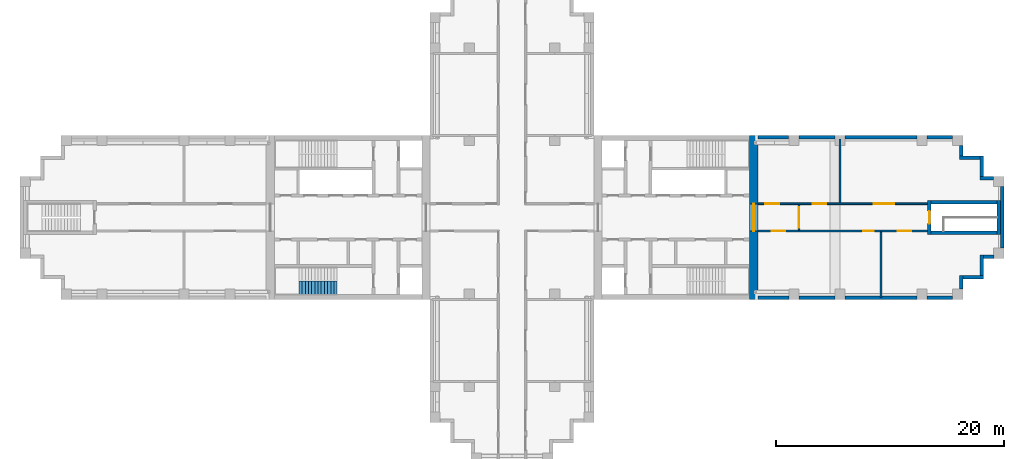
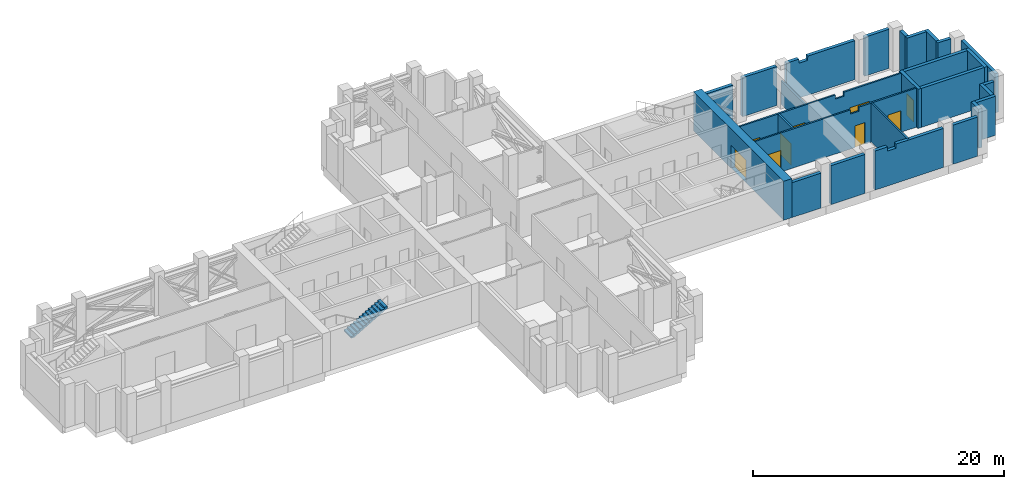
# One storey, part 7 of 9: 27 walls, 9 doors, 1 stair flight, 9 openings, 1 element without a shape of its own.
"""IFC4 building model written with IfcOpenShell, lengths in metres."""

from ifc_helpers import new_model, si_unit, direction, frame, frame_2d, origin, place, context, subcontext, project, spatial, polyline, rectangle, outline, extrude, material, layer, layer_set, type_object, element, fill, aggregate, save


model = new_model("IFC4")

# Units and contexts
model_context = context("Model", 3, precision=1e-05, world=origin(), true_north=direction((0.0, 1.0)))
body_context = subcontext(model_context, "Body", "Model", "MODEL_VIEW")
ifc_project = project(units=[si_unit("LENGTHUNIT", "METRE"), si_unit("AREAUNIT", "SQUARE_METRE"), si_unit("VOLUMEUNIT", "CUBIC_METRE"), si_unit("PLANEANGLEUNIT", "RADIAN"), si_unit("MASSUNIT", "GRAM", prefix="KILO")], contexts=[model_context])

# Site, building, storey
site_placement = place(None, origin())
site = spatial("IfcSite", under=ifc_project, at=site_placement, CompositionType="ELEMENT")
building_placement = place(site_placement, origin())
building = spatial("IfcBuilding", under=site, at=building_placement, Name="Fustian Cross Tower", CompositionType="ELEMENT")
storey_placement = place(building_placement, frame((0.0, 0.0, 162.300048828125)))
storey = spatial("IfcBuildingStorey", under=building, at=storey_placement, Name="L51", CompositionType="ELEMENT", Elevation=162.300048828125)

# Wall, openings, doors
ifc_material_1 = material(Name="Plasterboard on steel stud", Category="steel")
ifc_layer_1 = layer(ifc_material_1, 0.14990234375)
ifc_layer_set_1 = layer_set([ifc_layer_1], Name="Plasterboard on steel stud")
wall_type_1 = type_object("IfcWallType", Name="COMPARTMENT WALL 150 EI 60", PredefinedType="PARTITIONING", material=ifc_layer_set_1)
wall_1_placement = place(storey_placement, frame((21.60009765625, -1.199951171875, 0.0), z_axis=(0.0, 0.0, 1.0), x_axis=(1.0, 0.0, 0.0)))
wall_1 = element("IfcWall", 1, at=wall_1_placement, inside=storey, type_object=wall_type_1, Name="Partition 21", PredefinedType="PARTITIONING", context=body_context, shape_type="SweptSolid", body=[
    extrude(outline(polyline([(0.0, 0.0), (14.89990234375, 0.0), (14.89990234375, 3.800048828125), (9.60205078125, 3.800048828125), (9.60009765625, 3.39990234375), (8.800048828125, 3.39990234375), (8.798095703125, 3.800048828125), (0.0, 3.800048828125), (0.0, 0.0)])), frame((0.0, 0.074951171875, 0.0), z_axis=(0.0, -1.0, 0.0), x_axis=(1.0, 0.0, 0.0)), (0.0, 0.0, 1.0), 0.14990234375),
])
opening_1_placement = place(wall_1_placement, frame((1.199951171875, 0.0, 0.0)))
opening_1 = element("IfcOpeningElement", 2, at=opening_1_placement, cuts=wall_1, Name="Opening D23029", PredefinedType="OPENING", context=body_context, shape_type="SweptSolid", body=[
    extrude(rectangle(XDim=1.199951171875, YDim=2.10009765625, at=frame_2d((0.60009765625, 1.050048828125))), frame((0.0, 0.0849609375, 0.0), z_axis=(0.0, -1.0, 0.0), x_axis=(1.0, 0.0, 0.0)), (0.0, 0.0, 1.0), 0.169921875),
])
opening_2_placement = place(wall_1_placement, frame((9.25, 0.0, 0.0)))
opening_2 = element("IfcOpeningElement", 3, at=opening_2_placement, cuts=wall_1, Name="Opening D23030", PredefinedType="OPENING", context=body_context, shape_type="SweptSolid", body=[
    extrude(rectangle(XDim=0.89990234375, YDim=2.10009765625, at=frame_2d((0.449951171875, 1.050048828125))), frame((0.0, 0.0849609375, 0.0), z_axis=(0.0, -1.0, 0.0), x_axis=(1.0, 0.0, 0.0)), (0.0, 0.0, 1.0), 0.169921875),
])
opening_3_placement = place(wall_1_placement, frame((12.25, 0.0, 0.0)))
opening_3 = element("IfcOpeningElement", 4, at=opening_3_placement, cuts=wall_1, Name="Opening D23031", PredefinedType="OPENING", context=body_context, shape_type="SweptSolid", body=[
    extrude(rectangle(XDim=1.199951171875, YDim=2.10009765625, at=frame_2d((0.60009765625, 1.050048828125))), frame((0.0, 0.0849609375, 0.0), z_axis=(0.0, -1.0, 0.0), x_axis=(1.0, 0.0, 0.0)), (0.0, 0.0, 1.0), 0.169921875),
])
ifc_material_2 = material(Name="Timber fire door set", Category="wood")
door_type_1 = type_object("IfcDoorType", Name="FIRE SWING DOOR 1200 FD30S", OperationType="SINGLE_SWING_LEFT", PredefinedType="DOOR", material=ifc_material_2)
door_1_placement = place(opening_3_placement, frame((1.199951171875, 0.0, 0.0), z_axis=(0.0, 0.0, 1.0), x_axis=(-1.0, 0.0, 0.0)))
door_1 = element("IfcDoor", 5, at=door_1_placement, inside=storey, type_object=door_type_1, Name="Door D23031", OperationType="SINGLE_SWING_RIGHT", OverallHeight=2.10009765625, OverallWidth=1.199951171875, PredefinedType="DOOR", context=body_context, shape_type="SweptSolid", body=[
    extrude(rectangle(XDim=1.199951171875, YDim=2.10009765625, at=frame_2d((0.60009765625, 1.050048828125))), frame((0.0, 0.02490234375, 0.0), z_axis=(0.0, -1.0, 0.0), x_axis=(1.0, 0.0, 0.0)), (0.0, 0.0, 1.0), 0.050048828125),
])
fill(opening_3, door_1)
ifc_material_3 = material(Name="Timber fire door set", Category="wood")
door_type_2 = type_object("IfcDoorType", Name="FIRE SWING DOOR 1200 FD60S", OperationType="SINGLE_SWING_LEFT", PredefinedType="DOOR", material=ifc_material_3)
door_2_placement = place(opening_1_placement, frame((1.199951171875, 0.0, 0.0), z_axis=(0.0, 0.0, 1.0), x_axis=(-1.0, 0.0, 0.0)))
door_2 = element("IfcDoor", 6, at=door_2_placement, inside=storey, type_object=door_type_2, Name="Door D23029", OperationType="SINGLE_SWING_RIGHT", OverallHeight=2.10009765625, OverallWidth=1.199951171875, PredefinedType="DOOR", context=body_context, shape_type="SweptSolid", body=[
    extrude(rectangle(XDim=1.199951171875, YDim=2.10009765625, at=frame_2d((0.60009765625, 1.050048828125))), frame((0.0, 0.02490234375, 0.0), z_axis=(0.0, -1.0, 0.0), x_axis=(1.0, 0.0, 0.0)), (0.0, 0.0, 1.0), 0.050048828125),
])
fill(opening_1, door_2)
ifc_material_4 = material(Name="Timber fire door set", Category="wood")
door_type_3 = type_object("IfcDoorType", Name="FIRE SWING DOOR 900 FD30S", OperationType="SINGLE_SWING_LEFT", PredefinedType="DOOR", material=ifc_material_4)
door_3_placement = place(opening_2_placement, frame((0.89990234375, 0.0, 0.0), z_axis=(0.0, 0.0, 1.0), x_axis=(-1.0, 0.0, 0.0)))
door_3 = element("IfcDoor", 7, at=door_3_placement, inside=storey, type_object=door_type_3, Name="Door D23030", OperationType="SINGLE_SWING_LEFT", OverallHeight=2.10009765625, OverallWidth=0.89990234375, PredefinedType="DOOR", context=body_context, shape_type="SweptSolid", body=[
    extrude(rectangle(XDim=0.89990234375, YDim=2.10009765625, at=frame_2d((0.449951171875, 1.050048828125))), frame((0.0, 0.02490234375, 0.0), z_axis=(0.0, -1.0, 0.0), x_axis=(1.0, 0.0, 0.0)), (0.0, 0.0, 1.0), 0.050048828125),
])
fill(opening_2, door_3)

wall_2_placement = place(storey_placement, frame((21.60009765625, 1.199951171875, 0.0), z_axis=(0.0, 0.0, 1.0), x_axis=(1.0, 0.0, 0.0)))
wall_2 = element("IfcWall", 8, at=wall_2_placement, inside=storey, type_object=wall_type_1, Name="Partition 22", PredefinedType="PARTITIONING", context=body_context, shape_type="SweptSolid", body=[
    extrude(outline(polyline([(0.0, 0.0), (14.89990234375, 0.0), (14.89990234375, 3.800048828125), (9.60205078125, 3.800048828125), (9.60009765625, 3.39990234375), (8.800048828125, 3.39990234375), (8.798095703125, 3.800048828125), (0.0, 3.800048828125), (0.0, 0.0)])), frame((0.0, 0.074951171875, 0.0), z_axis=(0.0, -1.0, 0.0), x_axis=(1.0, 0.0, 0.0)), (0.0, 0.0, 1.0), 0.14990234375),
])
opening_4_placement = place(wall_2_placement, frame((0.64990234375, 0.0, 0.0)))
opening_4 = element("IfcOpeningElement", 9, at=opening_4_placement, cuts=wall_2, Name="Opening D23026", PredefinedType="OPENING", context=body_context, shape_type="SweptSolid", body=[
    extrude(rectangle(XDim=1.199951171875, YDim=2.10009765625, at=frame_2d((0.60009765625, 1.050048828125))), frame((0.0, 0.0849609375, 0.0), z_axis=(0.0, -1.0, 0.0), x_axis=(1.0, 0.0, 0.0)), (0.0, 0.0, 1.0), 0.169921875),
])
opening_5_placement = place(wall_2_placement, frame((4.800048828125, 0.0, 0.0)))
opening_5 = element("IfcOpeningElement", 10, at=opening_5_placement, cuts=wall_2, Name="Opening D23027", PredefinedType="OPENING", context=body_context, shape_type="SweptSolid", body=[
    extrude(rectangle(XDim=1.199951171875, YDim=2.10009765625, at=frame_2d((0.60009765625, 1.050048828125))), frame((0.0, 0.0849609375, 0.0), z_axis=(0.0, -1.0, 0.0), x_axis=(1.0, 0.0, 0.0)), (0.0, 0.0, 1.0), 0.169921875),
])
opening_6_placement = place(wall_2_placement, frame((10.14990234375, 0.0, 0.0)))
opening_6 = element("IfcOpeningElement", 11, at=opening_6_placement, cuts=wall_2, Name="Opening D23028", PredefinedType="OPENING", context=body_context, shape_type="SweptSolid", body=[
    extrude(rectangle(XDim=1.800048828125, YDim=2.10009765625, at=frame_2d((0.89990234375, 1.050048828125))), frame((0.0, 0.0849609375, 0.0), z_axis=(0.0, -1.0, 0.0), x_axis=(1.0, 0.0, 0.0)), (0.0, 0.0, 1.0), 0.169921875),
])
ifc_material_5 = material(Name="Timber fire door set", Category="wood")
door_type_4 = type_object("IfcDoorType", Name="FIRE DOUBLE DOOR 1800 FD60S", OperationType="DOUBLE_DOOR_DOUBLE_SWING", PredefinedType="DOOR", material=ifc_material_5)
door_4_placement = place(opening_6_placement, frame((1.800048828125, 0.0, 0.0), z_axis=(0.0, 0.0, 1.0), x_axis=(-1.0, 0.0, 0.0)))
door_4 = element("IfcDoor", 12, at=door_4_placement, inside=storey, type_object=door_type_4, Name="Door D23028", OperationType="DOUBLE_DOOR_DOUBLE_SWING", OverallHeight=2.10009765625, OverallWidth=1.800048828125, PredefinedType="DOOR", context=body_context, shape_type="SweptSolid", body=[
    extrude(rectangle(XDim=1.800048828125, YDim=2.10009765625, at=frame_2d((0.89990234375, 1.050048828125))), frame((0.0, 0.02490234375, 0.0), z_axis=(0.0, -1.0, 0.0), x_axis=(1.0, 0.0, 0.0)), (0.0, 0.0, 1.0), 0.050048828125),
])
fill(opening_6, door_4)
door_5_placement = place(opening_4_placement, origin())
door_5 = element("IfcDoor", 13, at=door_5_placement, inside=storey, type_object=door_type_1, Name="Door D23026", OperationType="SINGLE_SWING_LEFT", OverallHeight=2.10009765625, OverallWidth=1.199951171875, PredefinedType="DOOR", context=body_context, shape_type="SweptSolid", body=[
    extrude(rectangle(XDim=1.199951171875, YDim=2.10009765625, at=frame_2d((0.60009765625, 1.050048828125))), frame((0.0, 0.02490234375, 0.0), z_axis=(0.0, -1.0, 0.0), x_axis=(1.0, 0.0, 0.0)), (0.0, 0.0, 1.0), 0.050048828125),
])
fill(opening_4, door_5)
door_6_placement = place(opening_5_placement, origin())
door_6 = element("IfcDoor", 14, at=door_6_placement, inside=storey, type_object=door_type_1, Name="Door D23027", OperationType="SINGLE_SWING_RIGHT", OverallHeight=2.10009765625, OverallWidth=1.199951171875, PredefinedType="DOOR", context=body_context, shape_type="SweptSolid", body=[
    extrude(rectangle(XDim=1.199951171875, YDim=2.10009765625, at=frame_2d((0.60009765625, 1.050048828125))), frame((0.0, 0.02490234375, 0.0), z_axis=(0.0, -1.0, 0.0), x_axis=(1.0, 0.0, 0.0)), (0.0, 0.0, 1.0), 0.050048828125),
])
fill(opening_5, door_6)

# Wall, opening, door
wall_3_placement = place(storey_placement, frame((25.199951171875, -1.125, 0.0), z_axis=(0.0, 0.0, 1.0), x_axis=(0.0, 1.0, 0.0)))
wall_3 = element("IfcWall", 15, at=wall_3_placement, inside=storey, type_object=wall_type_1, Name="Partition 23", PredefinedType="PARTITIONING", context=body_context, shape_type="SweptSolid", body=[
    extrude(rectangle(XDim=2.25, YDim=0.14990234375, at=frame_2d((1.125, 0.0))), origin(), (0.0, 0.0, 1.0), 3.800048828125),
])
opening_7_placement = place(wall_3_placement, frame((0.22509765625, 0.0, 0.0)))
opening_7 = element("IfcOpeningElement", 16, at=opening_7_placement, cuts=wall_3, Name="Opening D23025", PredefinedType="OPENING", context=body_context, shape_type="SweptSolid", body=[
    extrude(rectangle(XDim=1.800048828125, YDim=2.10009765625, at=frame_2d((0.89990234375, 1.050048828125))), frame((0.0, 0.0849609375, 0.0), z_axis=(0.0, -1.0, 0.0), x_axis=(1.0, 0.0, 0.0)), (0.0, 0.0, 1.0), 0.169921875),
])
ifc_material_6 = material(Name="Timber fire door set", Category="wood")
door_type_5 = type_object("IfcDoorType", Name="FIRE DOUBLE DOOR 1800 FD30S", OperationType="DOUBLE_DOOR_DOUBLE_SWING", PredefinedType="DOOR", material=ifc_material_6)
door_7_placement = place(opening_7_placement, origin())
door_7 = element("IfcDoor", 17, at=door_7_placement, inside=storey, type_object=door_type_5, Name="Door D23025", OperationType="DOUBLE_DOOR_DOUBLE_SWING", OverallHeight=2.10009765625, OverallWidth=1.800048828125, PredefinedType="DOOR", context=body_context, shape_type="SweptSolid", body=[
    extrude(rectangle(XDim=1.800048828125, YDim=2.10009765625, at=frame_2d((0.89990234375, 1.050048828125))), frame((0.0, 0.02490234375, 0.0), z_axis=(0.0, -1.0, 0.0), x_axis=(1.0, 0.0, 0.0)), (0.0, 0.0, 1.0), 0.050048828125),
])
fill(opening_7, door_7)

# Walls
wall_4_placement = place(storey_placement, frame((28.800048828125, 1.27490234375, 0.0), z_axis=(0.0, 0.0, 1.0), x_axis=(0.0, 1.0, 0.0)))
element("IfcWall", 18, at=wall_4_placement, inside=storey, type_object=wall_type_1, Name="Partition 24", PredefinedType="PARTITIONING", context=body_context, shape_type="SweptSolid", body=[
    extrude(rectangle(XDim=5.625, YDim=0.14990234375, at=frame_2d((2.8125, 0.0))), origin(), (0.0, 0.0, 1.0), 2.300048828125),
])
wall_5_placement = place(storey_placement, frame((32.39990234375, -7.02001953125, 0.0), z_axis=(0.0, 0.0, 1.0), x_axis=(0.0, 1.0, 0.0)))
element("IfcWall", 19, at=wall_5_placement, inside=storey, type_object=wall_type_1, Name="Partition 25", PredefinedType="PARTITIONING", context=body_context, shape_type="SweptSolid", body=[
    extrude(rectangle(XDim=5.7451171875, YDim=0.14990234375, at=frame_2d((2.87255859375, 0.0))), origin(), (0.0, 0.0, 1.0), 3.800048828125),
])

# Wall, opening, door
ifc_material_7 = material(Name="Concrete C60/75", Category="concrete")
ifc_layer_2 = layer(ifc_material_7, 0.75)
ifc_layer_set_2 = layer_set([ifc_layer_2], Name="Concrete C60/75")
wall_type_2 = type_object("IfcWallType", Name="CORE END WALL 750 C60/75", PredefinedType="SHEAR", material=ifc_layer_set_2)
wall_6_placement = place(storey_placement, frame((21.22509765625, -7.199951171875, 0.0), z_axis=(0.0, 0.0, 1.0), x_axis=(0.0, 1.0, 0.0)))
wall_6 = element("IfcWall", 20, at=wall_6_placement, inside=storey, type_object=wall_type_2, Name="Core end wall", PredefinedType="SHEAR", context=body_context, shape_type="SweptSolid", body=[
    extrude(rectangle(XDim=14.39990234375, YDim=0.75, at=frame_2d((7.199951171875, 0.0))), origin(), (0.0, 0.0, 1.0), 3.800048828125),
])
opening_8_placement = place(wall_6_placement, frame((6.0, 0.0, 0.0)))
opening_8 = element("IfcOpeningElement", 21, at=opening_8_placement, cuts=wall_6, Name="Opening CD-20-13", PredefinedType="OPENING", context=body_context, shape_type="SweptSolid", body=[
    extrude(rectangle(XDim=2.39990234375, YDim=2.199951171875, at=frame_2d((1.199951171875, 1.10009765625))), frame((0.0, 0.385009765625, 0.0), z_axis=(0.0, -1.0, 0.0), x_axis=(1.0, 0.0, 0.0)), (0.0, 0.0, 1.0), 0.77001953125),
])
ifc_material_8 = material(Name="Steel", Category="steel")
door_type_6 = type_object("IfcDoorType", Name="FIRE DOOR FD30S DOUBLE 2400X2200", OperationType="DOUBLE_DOOR_DOUBLE_SWING", PredefinedType="DOOR", material=ifc_material_8)
door_8_placement = place(opening_8_placement, origin())
door_8 = element("IfcDoor", 22, at=door_8_placement, inside=storey, type_object=door_type_6, Name="Core door CD-20-13", OperationType="DOUBLE_DOOR_DOUBLE_SWING", OverallHeight=2.199951171875, OverallWidth=2.39990234375, PredefinedType="DOOR", context=body_context, shape_type="SweptSolid", body=[
    extrude(rectangle(XDim=2.39990234375, YDim=2.199951171875, at=frame_2d((1.199951171875, 1.10009765625))), frame((0.0, 0.02490234375, 0.0), z_axis=(0.0, -1.0, 0.0), x_axis=(1.0, 0.0, 0.0)), (0.0, 0.0, 1.0), 0.050048828125),
])
fill(opening_8, door_8)

ifc_material_9 = material(Name="Concrete C50/60", Category="concrete")
ifc_layer_3 = layer(ifc_material_9, 0.300048828125)
ifc_layer_set_3 = layer_set([ifc_layer_3], Name="Concrete C50/60")
wall_type_3 = type_object("IfcWallType", Name="STAIR ENCLOSURE WALL 300 C50/60", PredefinedType="SHEAR", material=ifc_layer_set_3)
wall_7_placement = place(storey_placement, frame((36.64990234375, -1.5, 0.0), z_axis=(0.0, 0.0, 1.0), x_axis=(0.0, 1.0, 0.0)))
wall_7 = element("IfcWall", 23, at=wall_7_placement, inside=storey, type_object=wall_type_3, Name="Stair enclosure wall", PredefinedType="SHEAR", context=body_context, shape_type="SweptSolid", body=[
    extrude(rectangle(XDim=3.0, YDim=0.300048828125, at=frame_2d((1.5, 0.0))), origin(), (0.0, 0.0, 1.0), 3.800048828125),
])
opening_9_placement = place(wall_7_placement, frame((0.949951171875, 0.0, 0.0)))
opening_9 = element("IfcOpeningElement", 24, at=opening_9_placement, cuts=wall_7, Name="Opening CD-20-35", PredefinedType="OPENING", context=body_context, shape_type="SweptSolid", body=[
    extrude(rectangle(XDim=1.10009765625, YDim=2.10009765625, at=frame_2d((0.550048828125, 1.050048828125))), frame((0.0, 0.159912109375, 0.0), z_axis=(0.0, -1.0, 0.0), x_axis=(1.0, 0.0, 0.0)), (0.0, 0.0, 1.0), 0.320068359375),
])
ifc_material_10 = material(Name="Steel", Category="steel")
door_type_7 = type_object("IfcDoorType", Name="FIRE DOOR FD60S 1100X2100", OperationType="SINGLE_SWING_LEFT", PredefinedType="DOOR", material=ifc_material_10)
door_9_placement = place(opening_9_placement, frame((1.10009765625, 0.0, 0.0), z_axis=(0.0, 0.0, 1.0), x_axis=(-1.0, 0.0, 0.0)))
door_9 = element("IfcDoor", 25, at=door_9_placement, inside=storey, type_object=door_type_7, Name="Core door CD-20-35", OperationType="SINGLE_SWING_RIGHT", OverallHeight=2.10009765625, OverallWidth=1.10009765625, PredefinedType="DOOR", context=body_context, shape_type="SweptSolid", body=[
    extrude(rectangle(XDim=1.10009765625, YDim=2.10009765625, at=frame_2d((0.550048828125, 1.050048828125))), frame((0.0, 0.02490234375, 0.0), z_axis=(0.0, -1.0, 0.0), x_axis=(1.0, 0.0, 0.0)), (0.0, 0.0, 1.0), 0.050048828125),
])
fill(opening_9, door_9)

# Walls
wall_8_placement = place(storey_placement, frame((42.75, -1.5, 0.0), z_axis=(0.0, 0.0, 1.0), x_axis=(0.0, 1.0, 0.0)))
element("IfcWall", 26, at=wall_8_placement, inside=storey, type_object=wall_type_3, Name="Stair enclosure wall", PredefinedType="SHEAR", context=body_context, shape_type="SweptSolid", body=[
    extrude(rectangle(XDim=3.0, YDim=0.300048828125, at=frame_2d((1.5, 0.0))), origin(), (0.0, 0.0, 1.0), 3.800048828125),
])
for number, where, z_axis, x_axis, name in (
    (27, (36.800048828125, -1.35009765625, 0.0), (0.0, 0.0, 1.0), (1.0, 0.0, 0.0), "Stair enclosure wall"),
    (28, (36.800048828125, 1.35009765625, 0.0), (0.0, 0.0, 1.0), (1.0, 0.0, 0.0), "Stair enclosure wall"),
):
    element("IfcWall", number, at=place(storey_placement, frame(where, z_axis=z_axis, x_axis=x_axis)), inside=storey, type_object=wall_type_3, Name=name, PredefinedType="SHEAR", context=body_context, shape_type="SweptSolid", body=[
        extrude(rectangle(XDim=5.800048828125, YDim=0.300048828125, at=frame_2d((2.89990234375, 0.0))), origin(), (0.0, 0.0, 1.0), 3.800048828125),
    ])
ifc_material_11 = material(Name="Dark aluminium louvres on insulated backing wall", Category="aluminium")
ifc_layer_4 = layer(ifc_material_11, 0.300048828125)
ifc_layer_set_4 = layer_set([ifc_layer_4], Name="Dark aluminium louvres on insulated backing wall")
wall_type_4 = type_object("IfcWallType", Name="XW2 LOUVRED PLANT WALL 300", PredefinedType="SOLIDWALL", material=ifc_layer_set_4)
wall_9_placement = place(storey_placement, frame((21.60009765625, -7.050048828125, 0.0), z_axis=(0.0, 0.0, 1.0), x_axis=(1.0, 0.0, 0.0)))
element("IfcWall", 29, at=wall_9_placement, inside=storey, type_object=wall_type_4, Name="Plant louvre wall", PredefinedType="SOLIDWALL", context=body_context, shape_type="SweptSolid", body=[
    extrude(rectangle(XDim=2.699951171875, YDim=0.300048828125, at=frame_2d((1.35009765625, 0.0))), origin(), (0.0, 0.0, 1.0), 3.39990234375),
])
wall_10_placement = place(storey_placement, frame((25.199951171875, -7.050048828125, 0.0), z_axis=(0.0, 0.0, 1.0), x_axis=(1.0, 0.0, 0.0)))
element("IfcWall", 30, at=wall_10_placement, inside=storey, type_object=wall_type_4, Name="Plant louvre wall", PredefinedType="SOLIDWALL", context=body_context, shape_type="SweptSolid", body=[
    extrude(rectangle(XDim=3.150146484375, YDim=0.300048828125, at=frame_2d((1.5751953125, 0.0))), origin(), (0.0, 0.0, 1.0), 3.800048828125),
])
wall_11_placement = place(storey_placement, frame((29.25, -7.050048828125, 0.0), z_axis=(0.0, 0.0, 1.0), x_axis=(1.0, 0.0, 0.0)))
element("IfcWall", 31, at=wall_11_placement, inside=storey, type_object=wall_type_4, Name="Plant louvre wall", PredefinedType="SOLIDWALL", context=body_context, shape_type="SweptSolid", body=[
    extrude(outline(polyline([(0.0, 0.0), (6.300048828125, 0.0), (6.300048828125, 3.800048828125), (1.951904296875, 3.800048828125), (1.949951171875, 3.39990234375), (1.14990234375, 3.39990234375), (1.14794921875, 3.800048828125), (0.0, 3.800048828125), (0.0, 0.0)])), frame((0.0, 0.14990234375, 0.0), z_axis=(0.0, -1.0, 0.0), x_axis=(1.0, 0.0, 0.0)), (0.0, 0.0, 1.0), 0.300048828125),
])
wall_12_placement = place(storey_placement, frame((36.449951171875, -7.050048828125, 0.0), z_axis=(0.0, 0.0, 1.0), x_axis=(1.0, 0.0, 0.0)))
element("IfcWall", 32, at=wall_12_placement, inside=storey, type_object=wall_type_4, Name="Plant louvre wall", PredefinedType="SOLIDWALL", context=body_context, shape_type="SweptSolid", body=[
    extrude(rectangle(XDim=2.25, YDim=0.300048828125, at=frame_2d((1.125, 0.0))), origin(), (0.0, 0.0, 1.0), 3.800048828125),
])
wall_13_placement = place(storey_placement, frame((39.449951171875, -6.300048828125, 0.0), z_axis=(0.0, 0.0, 1.0), x_axis=(0.0, 1.0, 0.0)))
element("IfcWall", 33, at=wall_13_placement, inside=storey, type_object=wall_type_4, Name="Plant louvre wall", PredefinedType="SOLIDWALL", context=body_context, shape_type="SweptSolid", body=[
    extrude(rectangle(XDim=1.199951171875, YDim=0.300048828125, at=frame_2d((0.60009765625, 0.0))), origin(), (0.0, 0.0, 1.0), 3.800048828125),
])
wall_14_placement = place(storey_placement, frame((39.60009765625, -5.25, 0.0), z_axis=(0.0, 0.0, 1.0), x_axis=(1.0, 0.0, 0.0)))
element("IfcWall", 34, at=wall_14_placement, inside=storey, type_object=wall_type_4, Name="Plant louvre wall", PredefinedType="SOLIDWALL", context=body_context, shape_type="SweptSolid", body=[
    extrude(rectangle(XDim=1.7998046875, YDim=0.300048828125, at=frame_2d((0.89990234375, 0.0))), origin(), (0.0, 0.0, 1.0), 3.800048828125),
])
wall_15_placement = place(storey_placement, frame((41.25, -5.10009765625, 0.0), z_axis=(0.0, 0.0, 1.0), x_axis=(0.0, 1.0, 0.0)))
element("IfcWall", 35, at=wall_15_placement, inside=storey, type_object=wall_type_4, Name="Plant louvre wall", PredefinedType="SOLIDWALL", context=body_context, shape_type="SweptSolid", body=[
    extrude(rectangle(XDim=1.800048828125, YDim=0.300048828125, at=frame_2d((0.89990234375, 0.0))), origin(), (0.0, 0.0, 1.0), 3.800048828125),
])
wall_16_placement = place(storey_placement, frame((41.39990234375, -3.449951171875, 0.0), z_axis=(0.0, 0.0, 1.0), x_axis=(1.0, 0.0, 0.0)))
element("IfcWall", 36, at=wall_16_placement, inside=storey, type_object=wall_type_4, Name="Plant louvre wall", PredefinedType="SOLIDWALL", context=body_context, shape_type="SweptSolid", body=[
    extrude(rectangle(XDim=0.900146484375, YDim=0.300048828125, at=frame_2d((0.4501953125, 0.0))), origin(), (0.0, 0.0, 1.0), 3.800048828125),
])
wall_17_placement = place(storey_placement, frame((43.050048828125, -2.699951171875, 0.0), z_axis=(0.0, 0.0, 1.0), x_axis=(0.0, 1.0, 0.0)))
element("IfcWall", 37, at=wall_17_placement, inside=storey, type_object=wall_type_4, Name="Plant louvre wall", PredefinedType="SOLIDWALL", context=body_context, shape_type="SweptSolid", body=[
    extrude(rectangle(XDim=5.39990234375, YDim=0.300048828125, at=frame_2d((2.699951171875, 0.0))), origin(), (0.0, 0.0, 1.0), 3.800048828125),
])
wall_18_placement = place(storey_placement, frame((42.300048828125, 3.449951171875, 0.0), z_axis=(0.0, 0.0, 1.0), x_axis=(-1.0, 0.0, 0.0)))
element("IfcWall", 38, at=wall_18_placement, inside=storey, type_object=wall_type_4, Name="Plant louvre wall", PredefinedType="SOLIDWALL", context=body_context, shape_type="SweptSolid", body=[
    extrude(rectangle(XDim=1.199951171875, YDim=0.300048828125, at=frame_2d((0.60009765625, 0.0))), origin(), (0.0, 0.0, 1.0), 3.800048828125),
])
wall_19_placement = place(storey_placement, frame((41.25, 3.60009765625, 0.0), z_axis=(0.0, 0.0, 1.0), x_axis=(0.0, 1.0, 0.0)))
element("IfcWall", 39, at=wall_19_placement, inside=storey, type_object=wall_type_4, Name="Plant louvre wall", PredefinedType="SOLIDWALL", context=body_context, shape_type="SweptSolid", body=[
    extrude(rectangle(XDim=1.7998046875, YDim=0.300048828125, at=frame_2d((0.89990234375, 0.0))), origin(), (0.0, 0.0, 1.0), 3.800048828125),
])
wall_20_placement = place(storey_placement, frame((41.10009765625, 5.25, 0.0), z_axis=(0.0, 0.0, 1.0), x_axis=(-1.0, 0.0, 0.0)))
element("IfcWall", 40, at=wall_20_placement, inside=storey, type_object=wall_type_4, Name="Plant louvre wall", PredefinedType="SOLIDWALL", context=body_context, shape_type="SweptSolid", body=[
    extrude(rectangle(XDim=1.800048828125, YDim=0.300048828125, at=frame_2d((0.89990234375, 0.0))), origin(), (0.0, 0.0, 1.0), 3.800048828125),
])
wall_21_placement = place(storey_placement, frame((39.449951171875, 5.39990234375, 0.0), z_axis=(0.0, 0.0, 1.0), x_axis=(0.0, 1.0, 0.0)))
element("IfcWall", 41, at=wall_21_placement, inside=storey, type_object=wall_type_4, Name="Plant louvre wall", PredefinedType="SOLIDWALL", context=body_context, shape_type="SweptSolid", body=[
    extrude(rectangle(XDim=0.900146484375, YDim=0.300048828125, at=frame_2d((0.4501953125, 0.0))), origin(), (0.0, 0.0, 1.0), 3.800048828125),
])
wall_22_placement = place(storey_placement, frame((38.699951171875, 7.050048828125, 0.0), z_axis=(0.0, 0.0, 1.0), x_axis=(-1.0, 0.0, 0.0)))
element("IfcWall", 42, at=wall_22_placement, inside=storey, type_object=wall_type_4, Name="Plant louvre wall", PredefinedType="SOLIDWALL", context=body_context, shape_type="SweptSolid", body=[
    extrude(rectangle(XDim=2.25, YDim=0.300048828125, at=frame_2d((1.125, 0.0))), origin(), (0.0, 0.0, 1.0), 3.800048828125),
])
wall_23_placement = place(storey_placement, frame((35.550048828125, 7.050048828125, 0.0), z_axis=(0.0, 0.0, 1.0), x_axis=(-1.0, 0.0, 0.0)))
element("IfcWall", 43, at=wall_23_placement, inside=storey, type_object=wall_type_4, Name="Plant louvre wall", PredefinedType="SOLIDWALL", context=body_context, shape_type="SweptSolid", body=[
    extrude(outline(polyline([(0.0, 0.0), (6.300048828125, 0.0), (6.300048828125, 3.800048828125), (5.152099609375, 3.800048828125), (5.14990234375, 3.39990234375), (4.35009765625, 3.39990234375), (4.347900390625, 3.800048828125), (0.0, 3.800048828125), (0.0, 0.0)])), frame((0.0, 0.14990234375, 0.0), z_axis=(0.0, -1.0, 0.0), x_axis=(1.0, 0.0, 0.0)), (0.0, 0.0, 1.0), 0.300048828125),
])
wall_24_placement = place(storey_placement, frame((28.35009765625, 7.050048828125, 0.0), z_axis=(0.0, 0.0, 1.0), x_axis=(-1.0, 0.0, 0.0)))
element("IfcWall", 44, at=wall_24_placement, inside=storey, type_object=wall_type_4, Name="Plant louvre wall", PredefinedType="SOLIDWALL", context=body_context, shape_type="SweptSolid", body=[
    extrude(rectangle(XDim=3.150146484375, YDim=0.300048828125, at=frame_2d((1.5751953125, 0.0))), origin(), (0.0, 0.0, 1.0), 3.800048828125),
])
wall_25_placement = place(storey_placement, frame((24.300048828125, 7.050048828125, 0.0), z_axis=(0.0, 0.0, 1.0), x_axis=(-1.0, 0.0, 0.0)))
element("IfcWall", 45, at=wall_25_placement, inside=storey, type_object=wall_type_4, Name="Plant louvre wall", PredefinedType="SOLIDWALL", context=body_context, shape_type="SweptSolid", body=[
    extrude(rectangle(XDim=2.699951171875, YDim=0.300048828125, at=frame_2d((1.35009765625, 0.0))), origin(), (0.0, 0.0, 1.0), 3.39990234375),
])

# Stair, stair flight
ifc_material_12 = material(Name="Concrete C50/60", Category="concrete")
stair_type = type_object("IfcStairType", Name="STAIR 1150 HALF TURN", PredefinedType="HALF_TURN_STAIR", material=ifc_material_12)
stair_placement = place(storey_placement, origin())
stair = element("IfcStair", 46, at=stair_placement, inside=storey, type_object=stair_type, Name="Stair ST4", PredefinedType="HALF_TURN_STAIR")
ifc_material_13 = material(Name="Concrete C50/60", Category="concrete")
stair_flight_type = type_object("IfcStairFlightType", Name="STAIR FLIGHT 1150", PredefinedType="STRAIGHT", material=ifc_material_13)
stair_flight_placement = place(storey_placement, frame((-18.7099609375, -6.175048828125, 2.099853515625), z_axis=(0.0, 0.0, 1.0), x_axis=(1.0, 0.0, 0.0)))
stair_flight = element("IfcStairFlight", 47, at=stair_flight_placement, type_object=stair_flight_type, Name="ST4 flight 2", NumberOfRisers=13, NumberOfTreads=12, PredefinedType="STRAIGHT", RiserHeight=0.161538462, TreadLength=0.28, context=body_context, shape_type="SweptSolid", body=[
    extrude(outline(polyline([(0.0, 0.0), (0.0, 0.16162109375), (0.280029296875, 0.16162109375), (0.280029296875, 0.322998046875), (0.56005859375, 0.322998046875), (0.56005859375, 0.484619140625), (0.840087890625, 0.484619140625), (0.840087890625, 0.646240234375), (1.1201171875, 0.646240234375), (1.1201171875, 0.8076171875), (1.39990234375, 0.8076171875), (1.39990234375, 0.96923828125), (1.679931640625, 0.96923828125), (1.679931640625, 1.130859375), (1.9599609375, 1.130859375), (1.9599609375, 1.292236328125), (2.239990234375, 1.292236328125), (2.239990234375, 1.453857421875), (2.52001953125, 1.453857421875), (2.52001953125, 1.615478515625), (2.800048828125, 1.615478515625), (2.800048828125, 1.77685546875), (3.080078125, 1.77685546875), (3.080078125, 1.9384765625), (3.360107421875, 1.9384765625), (3.360107421875, 2.10009765625), (3.360107421875, 1.765380859375), (0.300048828125, 0.0), (0.0, 0.0)])), frame((0.0, 0.574951171875, 0.0), z_axis=(0.0, -1.0, 0.0), x_axis=(1.0, 0.0, 0.0)), (0.0, 0.0, 1.0), 1.14990234375),
])
aggregate(stair, [stair_flight])

save(model, "model.ifc")
